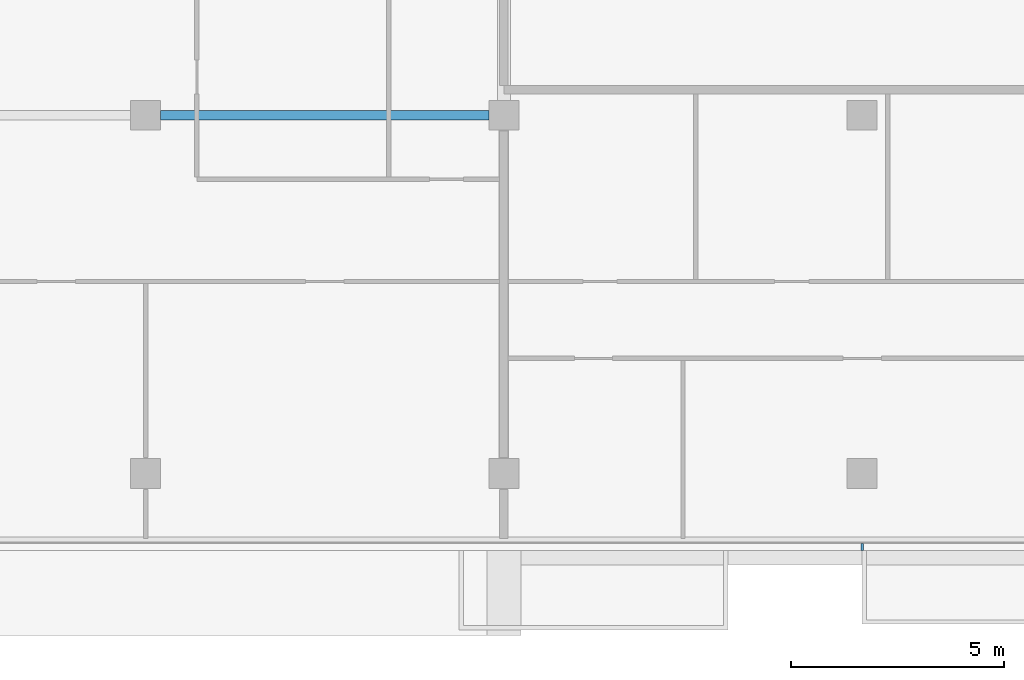
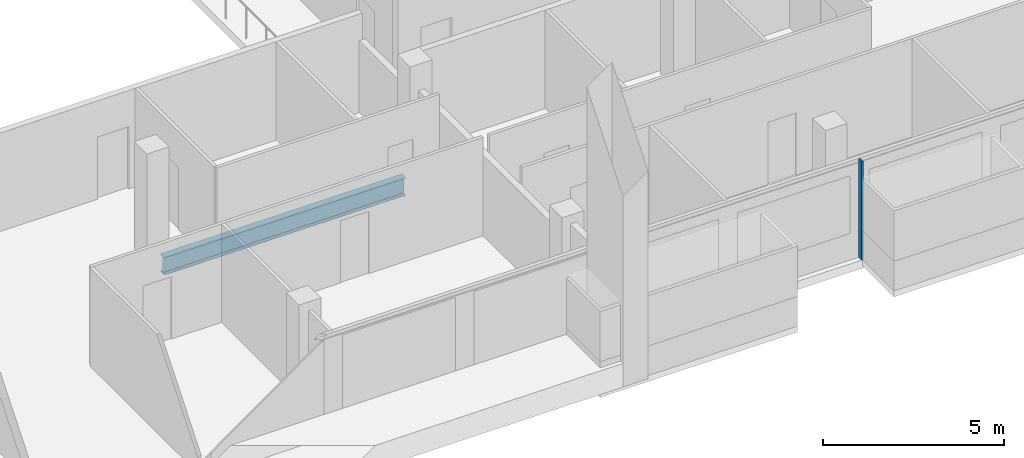
# One storey, part 6 of 31: 1 beam, 1 member, 1 element without a shape of its own.
"""IFC4 building model written with IfcOpenShell, lengths in metres."""

from ifc_helpers import new_model, si_unit, direction, frame, origin, origin_2d, place, context, subcontext, project, spatial, rectangle, i_section, extrude, material, material_profile, profile_set, type_object, element, aggregate, save


model = new_model("IFC4")

# Units and contexts
model_context = context("Model", 3, precision=1e-05, world=origin(), true_north=direction((0.0, 1.0)))
body_context = subcontext(model_context, "Body", "Model", "MODEL_VIEW")
ifc_project = project(units=[si_unit("LENGTHUNIT", "METRE"), si_unit("AREAUNIT", "SQUARE_METRE"), si_unit("VOLUMEUNIT", "CUBIC_METRE"), si_unit("PLANEANGLEUNIT", "RADIAN"), si_unit("MASSUNIT", "GRAM", prefix="KILO")], contexts=[model_context])

# Site, building, storey
site_placement = place(None, origin())
site = spatial("IfcSite", under=ifc_project, at=site_placement, CompositionType="ELEMENT")
building_placement = place(site_placement, origin())
building = spatial("IfcBuilding", under=site, at=building_placement, Name="Saffron Gate Tower", CompositionType="ELEMENT")
storey_placement = place(building_placement, frame((0.0, 0.0, 147.449951171875)))
storey = spatial("IfcBuildingStorey", under=building, at=storey_placement, Name="L35", CompositionType="ELEMENT", Elevation=147.449951171875)

# Beam
ifc_material_1 = material(Name="Structural steel S355", Category="steel")
ifc_material_profile_1 = material_profile(ifc_material_1, i_section(OverallWidth=0.219970703125, OverallDepth=0.60009765625, WebThickness=0.011962890625, FlangeThickness=0.01904296875, FilletRadius=0.02392578125, at=origin_2d()))
ifc_profile_set_1 = profile_set([ifc_material_profile_1], Name="Structural steel S355")
beam_type = type_object("IfcBeamType", Name="B15 IPE 600", PredefinedType="BEAM", material=ifc_profile_set_1)
beam_placement = place(storey_placement, frame((92.14990234375, 40.199951171875, -0.579833984375), z_axis=(1.0, 0.0, 0.0), x_axis=(0.0, 1.0, 0.0)))
element("IfcBeam", 1, at=beam_placement, inside=storey, type_object=beam_type, Name="B15 FLOOR GIRDER", PredefinedType="BEAM", context=body_context, shape_type="SweptSolid", body=[
    extrude(i_section(OverallWidth=0.219970703125, OverallDepth=0.60009765625, WebThickness=0.011962890625, FlangeThickness=0.01904296875, FilletRadius=0.02392578125, at=origin_2d()), origin(), (0.0, 0.0, 1.0), 7.7001953125),
])

# Curtain wall, member
ifc_material_2 = material(Name="Aluminium, bronze anodised", Category="aluminium")
curtain_wall_type = type_object("IfcCurtainWallType", Name="CWS1 curtain wall front facade", PredefinedType="NOTDEFINED", material=ifc_material_2)
curtain_wall_placement = place(storey_placement, origin())
curtain_wall = element("IfcCurtainWall", 2, at=curtain_wall_placement, inside=storey, type_object=curtain_wall_type, Name="CWS1 run 1", PredefinedType="NOTDEFINED")
ifc_material_profile_2 = material_profile(ifc_material_2, rectangle(XDim=0.159912109375, YDim=0.06005859375, at=origin_2d()))
ifc_profile_set_2 = profile_set([ifc_material_profile_2], Name="Aluminium, bronze anodised")
member_type = type_object("IfcMemberType", Name="CWS1 mullion 60x160", PredefinedType="MULLION", material=ifc_profile_set_2)
member_placement = place(storey_placement, frame((108.60009765625, 30.080078125, 0.0), z_axis=(0.0, 0.0, 1.0), x_axis=(0.0, 1.0, 0.0)))
member = element("IfcMember", 3, at=member_placement, type_object=member_type, Name="CWS1 mullion 8", PredefinedType="MULLION", context=body_context, shape_type="SweptSolid", body=[
    extrude(rectangle(XDim=0.159912109375, YDim=0.06005859375, at=origin_2d()), origin(), (0.0, 0.0, 1.0), 3.320068359375),
])
aggregate(curtain_wall, [member])

save(model, "model.ifc")
